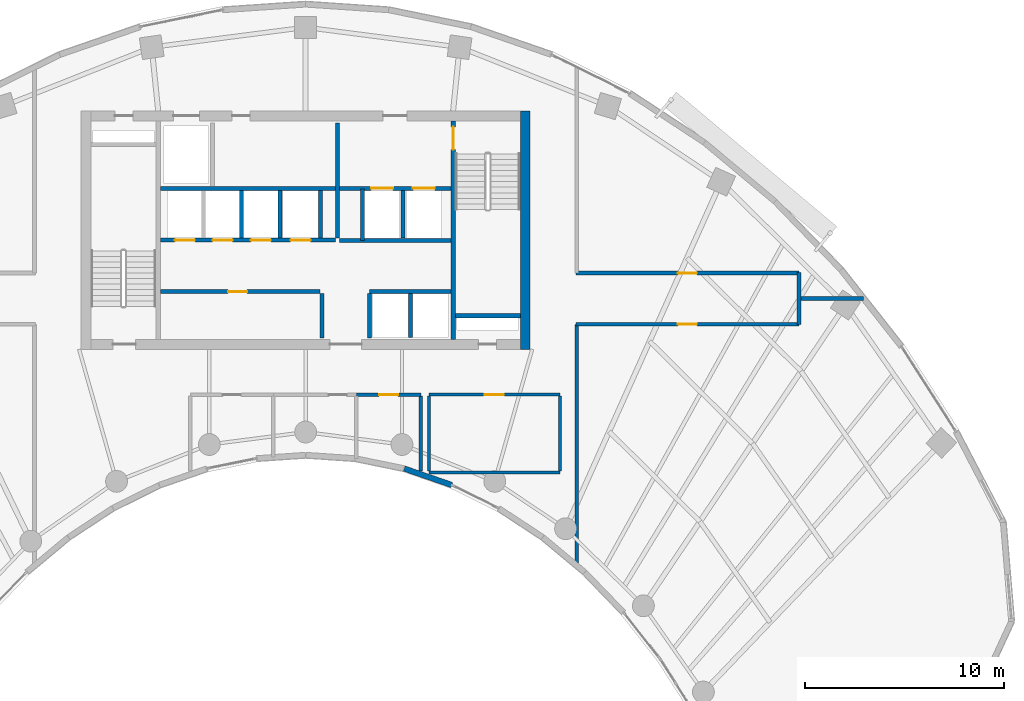
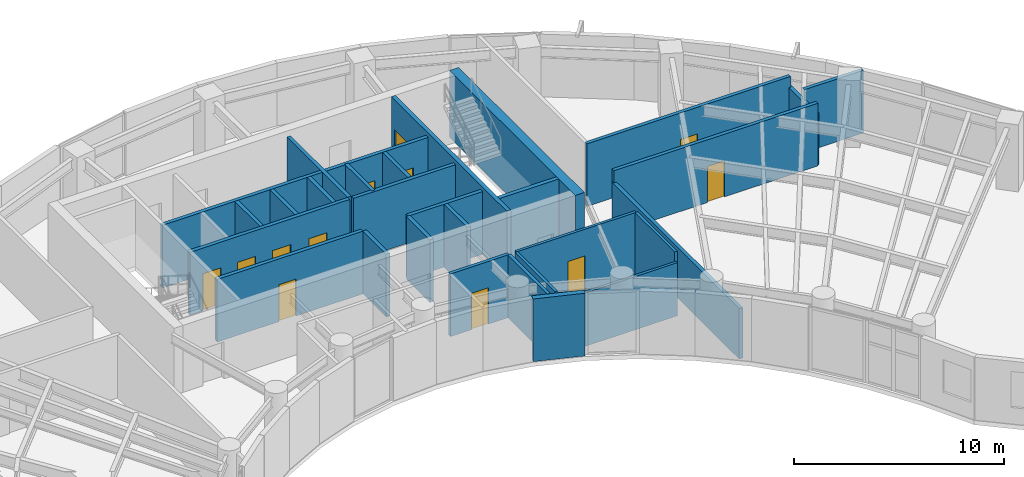
# One storey, part 9 of 13: 30 walls, 12 doors, 12 openings.
"""IFC4 building model written with IfcOpenShell, lengths in metres."""

from ifc_helpers import new_model, si_unit, direction, frame, frame_2d, origin, place, context, subcontext, project, spatial, rectangle, extrude, source, transform, mapped, material, layer, layer_set, type_object, type_shapes, element, fill, save


model = new_model("IFC4")

# Units and contexts
model_context = context("Model", 3, precision=1e-05, world=origin(), true_north=direction((0.0, 1.0)))
body_context = subcontext(model_context, "Body", "Model", "MODEL_VIEW")
ifc_project = project(units=[si_unit("LENGTHUNIT", "METRE"), si_unit("AREAUNIT", "SQUARE_METRE"), si_unit("VOLUMEUNIT", "CUBIC_METRE"), si_unit("PLANEANGLEUNIT", "RADIAN"), si_unit("MASSUNIT", "GRAM", prefix="KILO")], contexts=[model_context])

# Site, building, storey
site_placement = place(None, origin())
site = spatial("IfcSite", under=ifc_project, at=site_placement, CompositionType="ELEMENT")
building_placement = place(site_placement, origin())
building = spatial("IfcBuilding", under=site, at=building_placement, Name="Breltana Convention Tower", CompositionType="ELEMENT")
storey_placement = place(building_placement, frame((0.0, 0.0, 158.39990234375)))
storey = spatial("IfcBuildingStorey", under=building, at=storey_placement, Name="L38", CompositionType="ELEMENT", Elevation=158.39990234375)

# Walls
ifc_material_1 = material(Name="Concrete C60/75", Category="concrete")
ifc_layer_1 = layer(ifc_material_1, 0.5, Name="Concrete C60/75")
ifc_layer_set_1 = layer_set([ifc_layer_1], Name="Concrete C60/75")
wall_type_1 = type_object("IfcWallType", Name="SW-CORE-500", PredefinedType="SHEAR", material=ifc_layer_set_1)
shared_shape_1 = source(origin(), body_context, "Body", "SweptSolid", [
    extrude(rectangle(XDim=12.0, YDim=0.5, at=frame_2d((6.0, 0.0))), origin(), (0.0, 0.0, 1.0), 3.900146484375),
])
wall_1_placement = place(storey_placement, frame((59.050048828125, 60.199951171875, 0.0), z_axis=(0.0, 0.0, 1.0), x_axis=(0.0, 1.0, 0.0)))
element("IfcWall", 1, at=wall_1_placement, inside=storey, type_object=wall_type_1, Name="L38 East Core Shear Wall", PredefinedType="SHEAR", context=body_context, shape_type="MappedRepresentation", body=[
    mapped(shared_shape_1, transform((0.0, 0.0, 0.0), scale=1.0)),
])
ifc_material_2 = material(Name="Concrete C50/60", Category="concrete")
ifc_layer_2 = layer(ifc_material_2, 0.39990234375, Name="Concrete C50/60")
ifc_layer_set_2 = layer_set([ifc_layer_2], Name="Concrete C50/60")
wall_type_2 = type_object("IfcWallType", Name="SW-CORE-400", PredefinedType="SHEAR", material=ifc_layer_set_2)
shared_shape_2 = source(origin(), body_context, "Body", "SweptSolid", [
    extrude(rectangle(XDim=3.27001953125, YDim=0.219970703125, at=frame_2d((1.635009765625, 0.0))), origin(), (0.0, 0.0, 1.0), 3.900146484375),
])
wall_2_placement = place(storey_placement, frame((55.530029296875, 61.889892578125, 0.0), z_axis=(0.0, 0.0, 1.0), x_axis=(1.0, 0.0, 0.0)))
element("IfcWall", 2, at=wall_2_placement, inside=storey, type_object=wall_type_2, Name="L38 ST-2 Stairwell South Bearing Wall", PredefinedType="SHEAR", context=body_context, shape_type="MappedRepresentation", body=[
    mapped(shared_shape_2, transform((0.0, 0.0, 0.0), scale=1.0)),
])

# Wall, opening, door
shared_shape_3 = source(origin(), body_context, "Body", "SweptSolid", [
    extrude(rectangle(XDim=11.0, YDim=0.219970703125, at=frame_2d((5.5, 0.0))), origin(), (0.0, 0.0, 1.0), 3.900146484375),
])
wall_3_placement = place(storey_placement, frame((55.419921875, 60.699951171875, 0.0), z_axis=(0.0, 0.0, 1.0), x_axis=(0.0, 1.0, 0.0)))
wall_3 = element("IfcWall", 3, at=wall_3_placement, inside=storey, type_object=wall_type_2, Name="L38 Core East Stair Spine Wall", PredefinedType="SHEAR", context=body_context, shape_type="MappedRepresentation", body=[
    mapped(shared_shape_3, transform((0.0, 0.0, 0.0), scale=1.0)),
])
opening_1_placement = place(wall_3_placement, frame((9.544921875, 0.0, 0.0)))
opening_1 = element("IfcOpeningElement", 4, at=opening_1_placement, cuts=wall_3, Name="Opening D-11", PredefinedType="OPENING", context=body_context, shape_type="SweptSolid", body=[
    extrude(rectangle(XDim=1.14990234375, YDim=2.14990234375, at=frame_2d((0.574951171875, 1.074951171875))), frame((0.0, 0.1201171875, 0.0), z_axis=(0.0, -1.0, 0.0), x_axis=(1.0, 0.0, 0.0)), (0.0, 0.0, 1.0), 0.239990234375),
])
ifc_material_3 = material(Name="Steel Stair Exit Door", Category="steel")
door_type_1 = type_object("IfcDoorType", Name="DR-FD120-1150", OperationType="NOTDEFINED", PredefinedType="DOOR", material=ifc_material_3)
shared_shape_4 = source(origin(), body_context, "Body", "SweptSolid", [
    extrude(rectangle(XDim=1.14990234375, YDim=2.14990234375, at=frame_2d((0.574951171875, 1.074951171875))), frame((0.0, 0.02490234375, 0.0), z_axis=(0.0, -1.0, 0.0), x_axis=(1.0, 0.0, 0.0)), (0.0, 0.0, 1.0), 0.050048828125),
])
type_shapes(door_type_1, [shared_shape_4])
door_1_placement = place(opening_1_placement, origin())
door_1 = element("IfcDoor", 5, at=door_1_placement, inside=storey, type_object=door_type_1, Name="L38 interior door D-L38-ST2", OperationType="SINGLE_SWING_LEFT", OverallHeight=2.14990234375, OverallWidth=1.14990234375, PredefinedType="DOOR", context=body_context, shape_type="MappedRepresentation", body=[
    mapped(shared_shape_4, transform((0.0, 0.0, 0.0), scale=1.0)),
])
fill(opening_1, door_1)

# Walls
ifc_material_4 = material(Name="Limestone Buff Insulated Wall", Category="masonry")
ifc_layer_3 = layer(ifc_material_4, 0.280029296875, Name="Limestone Buff Insulated Wall")
ifc_layer_set_3 = layer_set([ifc_layer_3], Name="Limestone Buff Insulated Wall")
wall_type_3 = type_object("IfcWallType", Name="WL-EXT-NOSE-280", PredefinedType="SOLIDWALL", material=ifc_layer_set_3)
shared_shape_5 = source(origin(), body_context, "Body", "SweptSolid", [
    extrude(rectangle(XDim=2.52978515625, YDim=0.280029296875, at=frame_2d((1.264892578125, 0.0))), origin(), (0.0, 0.0, 1.0), 3.650146484375),
])
wall_4_placement = place(storey_placement, frame((55.35546875, 53.369873046875, 0.0), z_axis=(0.0, 0.0, 1.0), x_axis=(-0.944872429646, 0.327438683872, 0.0)))
element("IfcWall", 6, at=wall_4_placement, inside=storey, type_object=wall_type_3, Name="L38 curved limestone nose wall E10", PredefinedType="SOLIDWALL", context=body_context, shape_type="MappedRepresentation", body=[
    mapped(shared_shape_5, transform((0.0, 0.0, 0.0), scale=1.0)),
])
ifc_material_5 = material(Name="Autoclaved Aerated Concrete Block", Category="concrete")
ifc_layer_4 = layer(ifc_material_5, 0.199951171875, Name="Autoclaved Aerated Concrete Block")
ifc_layer_set_4 = layer_set([ifc_layer_4], Name="Autoclaved Aerated Concrete Block")
wall_type_4 = type_object("IfcWallType", Name="WL-SHAFT-200", PredefinedType="SOLIDWALL", material=ifc_layer_set_4)
shared_shape_6 = source(origin(), body_context, "Body", "SweptSolid", [
    extrude(rectangle(XDim=2.239990234375, YDim=0.199951171875, at=frame_2d((1.1201171875, 0.0))), origin(), (0.0, 0.0, 1.0), 3.650146484375),
])
for number, where, z_axis, x_axis, name in (
    (7, (48.820068359375, 60.780029296875, 0.0), (0.0, 0.0, 1.0), (0.0, 1.0, 0.0), "L38 interior partition W-L38-PORT-W"),
    (8, (51.219970703125, 60.780029296875, 0.0), (0.0, 0.0, 1.0), (0.0, 1.0, 0.0), "L38 interior partition W-L38-PORT-E"),
):
    element("IfcWall", number, at=place(storey_placement, frame(where, z_axis=z_axis, x_axis=x_axis)), inside=storey, type_object=wall_type_4, Name=name, PredefinedType="SOLIDWALL", context=body_context, shape_type="MappedRepresentation", body=[
        mapped(shared_shape_6, transform((0.0, 0.0, 0.0), scale=1.0)),
    ])

# Wall, openings, doors
shared_shape_7 = source(origin(), body_context, "Body", "SweptSolid", [
    extrude(rectangle(XDim=5.6201171875, YDim=0.199951171875, at=frame_2d((2.81005859375, 0.0))), origin(), (0.0, 0.0, 1.0), 3.650146484375),
])
wall_5_placement = place(storey_placement, frame((49.699951171875, 68.300048828125, 0.0), z_axis=(0.0, 0.0, 1.0), x_axis=(1.0, 0.0, 0.0)))
wall_5 = element("IfcWall", 9, at=wall_5_placement, inside=storey, type_object=wall_type_4, Name="L38 interior partition W-L38-FFL-S", PredefinedType="SOLIDWALL", context=body_context, shape_type="MappedRepresentation", body=[
    mapped(shared_shape_7, transform((0.0, 0.0, 0.0), scale=1.0)),
])
opening_2_placement = place(wall_5_placement, frame((1.60009765625, 0.0, 0.0)))
opening_2 = element("IfcOpeningElement", 10, at=opening_2_placement, cuts=wall_5, Name="Opening LD-03", PredefinedType="OPENING", context=body_context, shape_type="SweptSolid", body=[
    extrude(rectangle(XDim=1.10009765625, YDim=2.14990234375, at=frame_2d((0.550048828125, 1.074951171875))), frame((0.0, 0.10986328125, 0.0), z_axis=(0.0, -1.0, 0.0), x_axis=(1.0, 0.0, 0.0)), (0.0, 0.0, 1.0), 0.219970703125),
])
opening_3_placement = place(wall_5_placement, frame((3.699951171875, 0.0, 0.0)))
opening_3 = element("IfcOpeningElement", 11, at=opening_3_placement, cuts=wall_5, Name="Opening LD-03", PredefinedType="OPENING", context=body_context, shape_type="SweptSolid", body=[
    extrude(rectangle(XDim=1.10009765625, YDim=2.14990234375, at=frame_2d((0.550048828125, 1.074951171875))), frame((0.0, 0.10986328125, 0.0), z_axis=(0.0, -1.0, 0.0), x_axis=(1.0, 0.0, 0.0)), (0.0, 0.0, 1.0), 0.219970703125),
])
ifc_material_6 = material(Name="Stainless Steel Brushed", Category="steel")
door_type_2 = type_object("IfcDoorType", Name="DR-LD-FF-1100", OperationType="DOUBLE_DOOR_SLIDING", PredefinedType="DOOR", material=ifc_material_6)
shared_shape_8 = source(origin(), body_context, "Body", "SweptSolid", [
    extrude(rectangle(XDim=1.10009765625, YDim=2.14990234375, at=frame_2d((0.550048828125, 1.074951171875))), frame((0.0, 0.02490234375, 0.0), z_axis=(0.0, -1.0, 0.0), x_axis=(1.0, 0.0, 0.0)), (0.0, 0.0, 1.0), 0.050048828125),
])
type_shapes(door_type_2, [shared_shape_8])
door_2_placement = place(opening_2_placement, origin())
door_2 = element("IfcDoor", 12, at=door_2_placement, inside=storey, type_object=door_type_2, Name="L38 Lift Landing Door D-L38-LD-FL1", OperationType="DOUBLE_DOOR_SLIDING", OverallHeight=2.14990234375, OverallWidth=1.10009765625, PredefinedType="DOOR", context=body_context, shape_type="MappedRepresentation", body=[
    mapped(shared_shape_8, transform((0.0, 0.0, 0.0), scale=1.0)),
])
fill(opening_2, door_2)
door_3_placement = place(opening_3_placement, origin())
door_3 = element("IfcDoor", 13, at=door_3_placement, inside=storey, type_object=door_type_2, Name="L38 Lift Landing Door D-L38-LD-FL2", OperationType="DOUBLE_DOOR_SLIDING", OverallHeight=2.14990234375, OverallWidth=1.10009765625, PredefinedType="DOOR", context=body_context, shape_type="MappedRepresentation", body=[
    mapped(shared_shape_8, transform((0.0, 0.0, 0.0), scale=1.0)),
])
fill(opening_3, door_3)

# Walls
wall_6_placement = place(storey_placement, frame((49.699951171875, 65.679931640625, 0.0), z_axis=(0.0, 0.0, 1.0), x_axis=(1.0, 0.0, 0.0)))
element("IfcWall", 14, at=wall_6_placement, inside=storey, type_object=wall_type_4, Name="L38 interior partition W-L38-FL-S", PredefinedType="SOLIDWALL", context=body_context, shape_type="MappedRepresentation", body=[
    mapped(shared_shape_7, transform((0.0, 0.0, 0.0), scale=1.0)),
])
shared_shape_9 = source(origin(), body_context, "Body", "SweptSolid", [
    extrude(rectangle(XDim=5.800048828125, YDim=0.199951171875, at=frame_2d((2.89990234375, 0.0))), origin(), (0.0, 0.0, 1.0), 3.650146484375),
])
wall_7_placement = place(storey_placement, frame((49.60009765625, 65.800048828125, 0.0), z_axis=(0.0, 0.0, 1.0), x_axis=(0.0, 1.0, 0.0)))
element("IfcWall", 15, at=wall_7_placement, inside=storey, type_object=wall_type_4, Name="L38 interior partition W-L38-FFL-W", PredefinedType="SOLIDWALL", context=body_context, shape_type="MappedRepresentation", body=[
    mapped(shared_shape_9, transform((0.0, 0.0, 0.0), scale=1.0)),
])
shared_shape_10 = source(origin(), body_context, "Body", "SweptSolid", [
    extrude(rectangle(XDim=2.580078125, YDim=0.199951171875, at=frame_2d((1.2900390625, 0.0))), origin(), (0.0, 0.0, 1.0), 3.650146484375),
])
wall_8_placement = place(storey_placement, frame((50.85009765625, 65.679931640625, 0.0), z_axis=(0.0, 0.0, 1.0), x_axis=(0.0, 1.0, 0.0)))
element("IfcWall", 16, at=wall_8_placement, inside=storey, type_object=wall_type_4, Name="L38 interior partition W-L38-FL-W", PredefinedType="SOLIDWALL", context=body_context, shape_type="MappedRepresentation", body=[
    mapped(shared_shape_10, transform((0.0, 0.0, 0.0), scale=1.0)),
])
shared_shape_11 = source(origin(), body_context, "Body", "SweptSolid", [
    extrude(rectangle(XDim=2.39990234375, YDim=0.199951171875, at=frame_2d((1.199951171875, 0.0))), origin(), (0.0, 0.0, 1.0), 3.650146484375),
])
for number, where, z_axis, x_axis, name in (
    (17, (52.89990234375, 65.800048828125, 0.0), (0.0, 0.0, 1.0), (0.0, 1.0, 0.0), "L38 interior partition W-L38-FL-DIV"),
    (18, (48.75, 65.800048828125, 0.0), (0.0, 0.0, 1.0), (0.0, 1.0, 0.0), "L38 interior partition W-L38-SH-M-END"),
    (19, (44.77001953125, 65.800048828125, 0.0), (0.0, 0.0, 1.0), (0.0, 1.0, 0.0), "L38 interior partition W-L38-SH-M-DIV2"),
    (20, (46.699951171875, 65.800048828125, 0.0), (0.0, 0.0, 1.0), (0.0, 1.0, 0.0), "L38 interior partition W-L38-SH-M-DIV3"),
):
    element("IfcWall", number, at=place(storey_placement, frame(where, z_axis=z_axis, x_axis=x_axis)), inside=storey, type_object=wall_type_4, Name=name, PredefinedType="SOLIDWALL", context=body_context, shape_type="MappedRepresentation", body=[
        mapped(shared_shape_11, transform((0.0, 0.0, 0.0), scale=1.0)),
    ])
shared_shape_12 = source(origin(), body_context, "Body", "SweptSolid", [
    extrude(rectangle(XDim=8.800048828125, YDim=0.199951171875, at=frame_2d((4.39990234375, 0.0))), origin(), (0.0, 0.0, 1.0), 3.650146484375),
])
wall_9_placement = place(storey_placement, frame((40.699951171875, 68.300048828125, 0.0), z_axis=(0.0, 0.0, 1.0), x_axis=(1.0, 0.0, 0.0)))
element("IfcWall", 21, at=wall_9_placement, inside=storey, type_object=wall_type_4, Name="L38 interior partition W-L38-SV-S", PredefinedType="SOLIDWALL", context=body_context, shape_type="MappedRepresentation", body=[
    mapped(shared_shape_12, transform((0.0, 0.0, 0.0), scale=1.0)),
])

# Wall, openings, doors
wall_10_placement = place(storey_placement, frame((40.699951171875, 65.699951171875, 0.0), z_axis=(0.0, 0.0, 1.0), x_axis=(1.0, 0.0, 0.0)))
wall_10 = element("IfcWall", 22, at=wall_10_placement, inside=storey, type_object=wall_type_4, Name="L38 interior partition W-L38-SH-M-FRONT", PredefinedType="SOLIDWALL", context=body_context, shape_type="MappedRepresentation", body=[
    mapped(shared_shape_12, transform((0.0, 0.0, 0.0), scale=1.0)),
])
opening_4_placement = place(wall_10_placement, frame((0.719970703125, 0.0, 0.0)))
opening_4 = element("IfcOpeningElement", 23, at=opening_4_placement, cuts=wall_10, Name="Opening LD-04", PredefinedType="OPENING", context=body_context, shape_type="SweptSolid", body=[
    extrude(rectangle(XDim=1.0, YDim=2.14990234375, at=frame_2d((0.5, 1.074951171875))), frame((0.0, 0.10986328125, 0.0), z_axis=(0.0, -1.0, 0.0), x_axis=(1.0, 0.0, 0.0)), (0.0, 0.0, 1.0), 0.219970703125),
])
opening_5_placement = place(wall_10_placement, frame((2.6201171875, 0.0, 0.0)))
opening_5 = element("IfcOpeningElement", 24, at=opening_5_placement, cuts=wall_10, Name="Opening LD-04", PredefinedType="OPENING", context=body_context, shape_type="SweptSolid", body=[
    extrude(rectangle(XDim=1.0, YDim=2.14990234375, at=frame_2d((0.5, 1.074951171875))), frame((0.0, 0.10986328125, 0.0), z_axis=(0.0, -1.0, 0.0), x_axis=(1.0, 0.0, 0.0)), (0.0, 0.0, 1.0), 0.219970703125),
])
opening_6_placement = place(wall_10_placement, frame((4.550048828125, 0.0, 0.0)))
opening_6 = element("IfcOpeningElement", 25, at=opening_6_placement, cuts=wall_10, Name="Opening LD-04", PredefinedType="OPENING", context=body_context, shape_type="SweptSolid", body=[
    extrude(rectangle(XDim=1.0, YDim=2.14990234375, at=frame_2d((0.5, 1.074951171875))), frame((0.0, 0.10986328125, 0.0), z_axis=(0.0, -1.0, 0.0), x_axis=(1.0, 0.0, 0.0)), (0.0, 0.0, 1.0), 0.219970703125),
])
opening_7_placement = place(wall_10_placement, frame((6.550048828125, 0.0, 0.0)))
opening_7 = element("IfcOpeningElement", 26, at=opening_7_placement, cuts=wall_10, Name="Opening LD-04", PredefinedType="OPENING", context=body_context, shape_type="SweptSolid", body=[
    extrude(rectangle(XDim=1.0, YDim=2.14990234375, at=frame_2d((0.5, 1.074951171875))), frame((0.0, 0.10986328125, 0.0), z_axis=(0.0, -1.0, 0.0), x_axis=(1.0, 0.0, 0.0)), (0.0, 0.0, 1.0), 0.219970703125),
])
door_type_3 = type_object("IfcDoorType", Name="DR-LD-PAX-1000", OperationType="DOUBLE_DOOR_SLIDING", PredefinedType="DOOR", material=ifc_material_6)
shared_shape_13 = source(origin(), body_context, "Body", "SweptSolid", [
    extrude(rectangle(XDim=1.0, YDim=2.14990234375, at=frame_2d((0.5, 1.074951171875))), frame((0.0, 0.02490234375, 0.0), z_axis=(0.0, -1.0, 0.0), x_axis=(1.0, 0.0, 0.0)), (0.0, 0.0, 1.0), 0.050048828125),
])
type_shapes(door_type_3, [shared_shape_13])
door_4_placement = place(opening_4_placement, origin())
door_4 = element("IfcDoor", 27, at=door_4_placement, inside=storey, type_object=door_type_3, Name="L38 Lift Landing Door D-L38-LD-M1", OperationType="DOUBLE_DOOR_SLIDING", OverallHeight=2.14990234375, OverallWidth=1.0, PredefinedType="DOOR", context=body_context, shape_type="MappedRepresentation", body=[
    mapped(shared_shape_13, transform((0.0, 0.0, 0.0), scale=1.0)),
])
fill(opening_4, door_4)
door_5_placement = place(opening_5_placement, origin())
door_5 = element("IfcDoor", 28, at=door_5_placement, inside=storey, type_object=door_type_3, Name="L38 Lift Landing Door D-L38-LD-M2", OperationType="DOUBLE_DOOR_SLIDING", OverallHeight=2.14990234375, OverallWidth=1.0, PredefinedType="DOOR", context=body_context, shape_type="MappedRepresentation", body=[
    mapped(shared_shape_13, transform((0.0, 0.0, 0.0), scale=1.0)),
])
fill(opening_5, door_5)
door_6_placement = place(opening_6_placement, origin())
door_6 = element("IfcDoor", 29, at=door_6_placement, inside=storey, type_object=door_type_3, Name="L38 Lift Landing Door D-L38-LD-M3", OperationType="DOUBLE_DOOR_SLIDING", OverallHeight=2.14990234375, OverallWidth=1.0, PredefinedType="DOOR", context=body_context, shape_type="MappedRepresentation", body=[
    mapped(shared_shape_13, transform((0.0, 0.0, 0.0), scale=1.0)),
])
fill(opening_6, door_6)
door_7_placement = place(opening_7_placement, origin())
door_7 = element("IfcDoor", 30, at=door_7_placement, inside=storey, type_object=door_type_3, Name="L38 Lift Landing Door D-L38-LD-M4", OperationType="DOUBLE_DOOR_SLIDING", OverallHeight=2.14990234375, OverallWidth=1.0, PredefinedType="DOOR", context=body_context, shape_type="MappedRepresentation", body=[
    mapped(shared_shape_13, transform((0.0, 0.0, 0.0), scale=1.0)),
])
fill(opening_7, door_7)

# Wall, opening, door
shared_shape_14 = source(origin(), body_context, "Body", "SweptSolid", [
    extrude(rectangle(XDim=8.02001953125, YDim=0.199951171875, at=frame_2d((4.010009765625, 0.0))), origin(), (0.0, 0.0, 1.0), 3.650146484375),
])
wall_11_placement = place(storey_placement, frame((40.699951171875, 63.10009765625, 0.0), z_axis=(0.0, 0.0, 1.0), x_axis=(1.0, 0.0, 0.0)))
wall_11 = element("IfcWall", 31, at=wall_11_placement, inside=storey, type_object=wall_type_4, Name="L38 interior partition W-L38-SH-S-FRONT", PredefinedType="SOLIDWALL", context=body_context, shape_type="MappedRepresentation", body=[
    mapped(shared_shape_14, transform((0.0, 0.0, 0.0), scale=1.0)),
])
opening_8_placement = place(wall_11_placement, frame((3.39990234375, 0.0, 0.0)))
opening_8 = element("IfcOpeningElement", 32, at=opening_8_placement, cuts=wall_11, Name="Opening D-14", PredefinedType="OPENING", context=body_context, shape_type="SweptSolid", body=[
    extrude(rectangle(XDim=0.949951171875, YDim=2.14990234375, at=frame_2d((0.47509765625, 1.074951171875))), frame((0.0, 0.10986328125, 0.0), z_axis=(0.0, -1.0, 0.0), x_axis=(1.0, 0.0, 0.0)), (0.0, 0.0, 1.0), 0.219970703125),
])
ifc_material_7 = material(Name="Timber Solid-Core Fire Door", Category="wood")
door_type_4 = type_object("IfcDoorType", Name="DR-FD60-950", OperationType="NOTDEFINED", PredefinedType="DOOR", material=ifc_material_7)
shared_shape_15 = source(origin(), body_context, "Body", "SweptSolid", [
    extrude(rectangle(XDim=0.949951171875, YDim=2.14990234375, at=frame_2d((0.47509765625, 1.074951171875))), frame((0.0, 0.02490234375, 0.0), z_axis=(0.0, -1.0, 0.0), x_axis=(1.0, 0.0, 0.0)), (0.0, 0.0, 1.0), 0.050048828125),
])
type_shapes(door_type_4, [shared_shape_15])
door_8_placement = place(opening_8_placement, origin())
door_8 = element("IfcDoor", 33, at=door_8_placement, inside=storey, type_object=door_type_4, Name="L38 interior door D-L38-LV7-B1A", OperationType="SINGLE_SWING_LEFT", OverallHeight=2.14990234375, OverallWidth=0.949951171875, PredefinedType="DOOR", context=body_context, shape_type="MappedRepresentation", body=[
    mapped(shared_shape_15, transform((0.0, 0.0, 0.0), scale=1.0)),
])
fill(opening_8, door_8)

# Walls
shared_shape_16 = source(origin(), body_context, "Body", "SweptSolid", [
    extrude(rectangle(XDim=4.10009765625, YDim=0.199951171875, at=frame_2d((2.050048828125, 0.0))), origin(), (0.0, 0.0, 1.0), 3.650146484375),
])
wall_12_placement = place(storey_placement, frame((51.219970703125, 63.10009765625, 0.0), z_axis=(0.0, 0.0, 1.0), x_axis=(1.0, 0.0, 0.0)))
element("IfcWall", 34, at=wall_12_placement, inside=storey, type_object=wall_type_4, Name="L38 interior partition W-L38-SH-X-FRONT", PredefinedType="SOLIDWALL", context=body_context, shape_type="MappedRepresentation", body=[
    mapped(shared_shape_16, transform((0.0, 0.0, 0.0), scale=1.0)),
])
shared_shape_17 = source(origin(), body_context, "Body", "SweptSolid", [
    extrude(rectangle(XDim=2.199951171875, YDim=0.199951171875, at=frame_2d((1.10009765625, 0.0))), origin(), (0.0, 0.0, 1.0), 3.650146484375),
])
wall_13_placement = place(storey_placement, frame((53.280029296875, 60.800048828125, 0.0), z_axis=(0.0, 0.0, 1.0), x_axis=(0.0, 1.0, 0.0)))
element("IfcWall", 35, at=wall_13_placement, inside=storey, type_object=wall_type_4, Name="L38 interior partition W-L38-SH-X-DIV", PredefinedType="SOLIDWALL", context=body_context, shape_type="MappedRepresentation", body=[
    mapped(shared_shape_17, transform((0.0, 0.0, 0.0), scale=1.0)),
])
ifc_material_8 = material(Name="Cement Board Wet-Area Partition")
ifc_layer_5 = layer(ifc_material_8, 0.175048828125, Name="Cement Board Wet-Area Partition")
ifc_layer_set_5 = layer_set([ifc_layer_5], Name="Cement Board Wet-Area Partition")
wall_type_5 = type_object("IfcWallType", Name="WL-WET-175", PredefinedType="PARTITIONING", material=ifc_layer_set_5)
shared_shape_18 = source(origin(), body_context, "Body", "SweptSolid", [
    extrude(rectangle(XDim=3.7626953125, YDim=0.175048828125, at=frame_2d((1.88134765625, 0.0))), origin(), (0.0, 0.0, 1.0), 3.650146484375),
])
wall_14_placement = place(storey_placement, frame((53.800048828125, 54.07861328125, 0.0), z_axis=(0.0, 0.0, 1.0), x_axis=(0.0, 1.0, 0.0)))
element("IfcWall", 36, at=wall_14_placement, inside=storey, type_object=wall_type_5, Name="L38 interior partition W-L38-WCA-E", PredefinedType="PARTITIONING", context=body_context, shape_type="MappedRepresentation", body=[
    mapped(shared_shape_18, transform((0.0, 0.0, 0.0), scale=1.0)),
])

# Wall, opening, door
ifc_material_9 = material(Name="Moisture-Resistant Gypsum Chase Wall")
ifc_layer_6 = layer(ifc_material_9, 0.179931640625, Name="Moisture-Resistant Gypsum Chase Wall")
ifc_layer_set_6 = layer_set([ifc_layer_6], Name="Moisture-Resistant Gypsum Chase Wall")
wall_type_6 = type_object("IfcWallType", Name="WL-PLUMB-180", PredefinedType="PLUMBINGWALL", material=ifc_layer_set_6)
shared_shape_19 = source(origin(), body_context, "Body", "SweptSolid", [
    extrude(rectangle(XDim=3.248046875, YDim=0.179931640625, at=frame_2d((1.6240234375, 0.0))), origin(), (0.0, 0.0, 1.0), 3.650146484375),
])
wall_15_placement = place(storey_placement, frame((50.552001953125, 57.919921875, 0.0), z_axis=(0.0, 0.0, 1.0), x_axis=(1.0, 0.0, 0.0)))
wall_15 = element("IfcWall", 37, at=wall_15_placement, inside=storey, type_object=wall_type_6, Name="L38 interior partition W-L38-WCA-N", PredefinedType="PLUMBINGWALL", context=body_context, shape_type="MappedRepresentation", body=[
    mapped(shared_shape_19, transform((0.0, 0.0, 0.0), scale=1.0)),
])
opening_9_placement = place(wall_15_placement, frame((1.14892578125, 0.0, 0.0)))
opening_9 = element("IfcOpeningElement", 38, at=opening_9_placement, cuts=wall_15, Name="Opening D-16", PredefinedType="OPENING", context=body_context, shape_type="SweptSolid", body=[
    extrude(rectangle(XDim=0.949951171875, YDim=2.1201171875, at=frame_2d((0.47509765625, 1.06005859375))), frame((0.0, 0.10009765625, 0.0), z_axis=(0.0, -1.0, 0.0), x_axis=(1.0, 0.0, 0.0)), (0.0, 0.0, 1.0), 0.199951171875),
])
ifc_material_10 = material(Name="Timber Laminate Accessible Door", Category="wood")
door_type_5 = type_object("IfcDoorType", Name="DR-ACC-950", OperationType="NOTDEFINED", PredefinedType="DOOR", material=ifc_material_10)
shared_shape_20 = source(origin(), body_context, "Body", "SweptSolid", [
    extrude(rectangle(XDim=0.949951171875, YDim=2.1201171875, at=frame_2d((0.47509765625, 1.06005859375))), frame((0.0, 0.02490234375, 0.0), z_axis=(0.0, -1.0, 0.0), x_axis=(1.0, 0.0, 0.0)), (0.0, 0.0, 1.0), 0.050048828125),
])
type_shapes(door_type_5, [shared_shape_20])
door_9_placement = place(opening_9_placement, origin())
door_9 = element("IfcDoor", 39, at=door_9_placement, inside=storey, type_object=door_type_5, Name="L38 interior door D-L38-WCA", OperationType="SINGLE_SWING_RIGHT", OverallHeight=2.1201171875, OverallWidth=0.949951171875, PredefinedType="DOOR", context=body_context, shape_type="MappedRepresentation", body=[
    mapped(shared_shape_20, transform((0.0, 0.0, 0.0), scale=1.0)),
])
fill(opening_9, door_9)

# Wall
ifc_material_11 = material(Name="Gypsum Acoustic Drywall Partition")
ifc_layer_7 = layer(ifc_material_11, 0.14990234375, Name="Gypsum Acoustic Drywall Partition")
ifc_layer_set_7 = layer_set([ifc_layer_7], Name="Gypsum Acoustic Drywall Partition")
wall_type_7 = type_object("IfcWallType", Name="WL-PART-150", PredefinedType="PARTITIONING", material=ifc_layer_set_7)
shared_shape_21 = source(origin(), body_context, "Body", "SweptSolid", [
    extrude(rectangle(XDim=6.60009765625, YDim=0.14990234375, at=frame_2d((3.300048828125, 0.0))), origin(), (0.0, 0.0, 1.0), 3.09521484375),
])
wall_16_placement = place(storey_placement, frame((54.199951171875, 54.0, 0.0), z_axis=(0.0, 0.0, 1.0), x_axis=(1.0, 0.0, 0.0)))
element("IfcWall", 40, at=wall_16_placement, inside=storey, type_object=wall_type_7, Name="L38 interior partition W-L38-PNT-S", PredefinedType="PARTITIONING", context=body_context, shape_type="MappedRepresentation", body=[
    mapped(shared_shape_21, transform((0.0, 0.0, 0.0), scale=1.0)),
])

# Wall, opening, door
shared_shape_22 = source(origin(), body_context, "Body", "SweptSolid", [
    extrude(rectangle(XDim=6.60009765625, YDim=0.14990234375, at=frame_2d((3.300048828125, 0.0))), origin(), (0.0, 0.0, 1.0), 3.650146484375),
])
wall_17_placement = place(storey_placement, frame((54.199951171875, 57.919921875, 0.0), z_axis=(0.0, 0.0, 1.0), x_axis=(1.0, 0.0, 0.0)))
wall_17 = element("IfcWall", 41, at=wall_17_placement, inside=storey, type_object=wall_type_7, Name="L38 interior partition W-L38-PNT-N", PredefinedType="PARTITIONING", context=body_context, shape_type="MappedRepresentation", body=[
    mapped(shared_shape_22, transform((0.0, 0.0, 0.0), scale=1.0)),
])
opening_10_placement = place(wall_17_placement, frame((2.824951171875, 0.0, 0.0)))
opening_10 = element("IfcOpeningElement", 42, at=opening_10_placement, cuts=wall_17, Name="Opening D-17", PredefinedType="OPENING", context=body_context, shape_type="SweptSolid", body=[
    extrude(rectangle(XDim=0.949951171875, YDim=2.10009765625, at=frame_2d((0.47509765625, 1.050048828125))), frame((0.0, 0.0849609375, 0.0), z_axis=(0.0, -1.0, 0.0), x_axis=(1.0, 0.0, 0.0)), (0.0, 0.0, 1.0), 0.169921875),
])
ifc_material_12 = material(Name="Timber Oak Veneer Door", Category="wood")
door_type_6 = type_object("IfcDoorType", Name="DR-INT-950", OperationType="NOTDEFINED", PredefinedType="DOOR", material=ifc_material_12)
shared_shape_23 = source(origin(), body_context, "Body", "SweptSolid", [
    extrude(rectangle(XDim=0.949951171875, YDim=2.10009765625, at=frame_2d((0.47509765625, 1.050048828125))), frame((0.0, 0.02490234375, 0.0), z_axis=(0.0, -1.0, 0.0), x_axis=(1.0, 0.0, 0.0)), (0.0, 0.0, 1.0), 0.050048828125),
])
type_shapes(door_type_6, [shared_shape_23])
door_10_placement = place(opening_10_placement, origin())
door_10 = element("IfcDoor", 43, at=door_10_placement, inside=storey, type_object=door_type_6, Name="L38 interior door D-L38-PNT", OperationType="SINGLE_SWING_LEFT", OverallHeight=2.10009765625, OverallWidth=0.949951171875, PredefinedType="DOOR", context=body_context, shape_type="MappedRepresentation", body=[
    mapped(shared_shape_23, transform((0.0, 0.0, 0.0), scale=1.0)),
])
fill(opening_10, door_10)

# Walls
shared_shape_24 = source(origin(), body_context, "Body", "SweptSolid", [
    extrude(rectangle(XDim=3.78515625, YDim=0.14990234375, at=frame_2d((1.892578125, 0.0))), origin(), (0.0, 0.0, 1.0), 3.650146484375),
])
for number, where, z_axis, x_axis, name in (
    (44, (54.199951171875, 54.0673828125, 0.0), (0.0, 0.0, 1.0), (0.0, 1.0, 0.0), "L38 interior partition W-L38-PNT-W"),
    (45, (60.800048828125, 54.0673828125, 0.0), (0.0, 0.0, 1.0), (0.0, 1.0, 0.0), "L38 interior partition W-L38-PNT-E"),
):
    element("IfcWall", number, at=place(storey_placement, frame(where, z_axis=z_axis, x_axis=x_axis)), inside=storey, type_object=wall_type_7, Name=name, PredefinedType="PARTITIONING", context=body_context, shape_type="MappedRepresentation", body=[
        mapped(shared_shape_24, transform((0.0, 0.0, 0.0), scale=1.0)),
    ])

# Wall, opening, door
ifc_material_13 = material(Name="Gypsum Acoustic Hotel Wall")
ifc_layer_8 = layer(ifc_material_13, 0.195068359375, Name="Gypsum Acoustic Hotel Wall")
ifc_layer_set_8 = layer_set([ifc_layer_8], Name="Gypsum Acoustic Hotel Wall")
wall_type_8 = type_object("IfcWallType", Name="WL-HOTEL-200", PredefinedType="PARTITIONING", material=ifc_layer_set_8)
shared_shape_25 = source(origin(), body_context, "Body", "SweptSolid", [
    extrude(rectangle(XDim=11.219970703125, YDim=0.195068359375, at=frame_2d((5.60986328125, 0.0))), origin(), (0.0, 0.0, 1.0), 3.650146484375),
])
wall_18_placement = place(storey_placement, frame((61.60009765625, 64.0400390625, 0.0), z_axis=(0.0, 0.0, 1.0), x_axis=(1.0, 0.0, 0.0)))
wall_18 = element("IfcWall", 46, at=wall_18_placement, inside=storey, type_object=wall_type_8, Name="L38 interior partition W-L38-ZEN1-D", PredefinedType="PARTITIONING", context=body_context, shape_type="MappedRepresentation", body=[
    mapped(shared_shape_25, transform((0.0, 0.0, 0.0), scale=1.0)),
])
opening_11_placement = place(wall_18_placement, frame((5.135009765625, 0.0, 0.0)))
opening_11 = element("IfcOpeningElement", 47, at=opening_11_placement, cuts=wall_18, Name="Opening D-17", PredefinedType="OPENING", context=body_context, shape_type="SweptSolid", body=[
    extrude(rectangle(XDim=0.949951171875, YDim=2.10009765625, at=frame_2d((0.47509765625, 1.050048828125))), frame((0.0, 0.107421875, 0.0), z_axis=(0.0, -1.0, 0.0), x_axis=(1.0, 0.0, 0.0)), (0.0, 0.0, 1.0), 0.215087890625),
])
door_11_placement = place(opening_11_placement, origin())
door_11 = element("IfcDoor", 48, at=door_11_placement, inside=storey, type_object=door_type_6, Name="L38 interior door D-L38-ZEN1", OperationType="SINGLE_SWING_RIGHT", OverallHeight=2.10009765625, OverallWidth=0.949951171875, PredefinedType="DOOR", context=body_context, shape_type="MappedRepresentation", body=[
    mapped(shared_shape_23, transform((0.0, 0.0, 0.0), scale=1.0)),
])
fill(opening_11, door_11)

wall_19_placement = place(storey_placement, frame((61.60009765625, 61.4599609375, 0.0), z_axis=(0.0, 0.0, 1.0), x_axis=(1.0, 0.0, 0.0)))
wall_19 = element("IfcWall", 49, at=wall_19_placement, inside=storey, type_object=wall_type_8, Name="L38 interior partition W-L38-ZES1-D", PredefinedType="PARTITIONING", context=body_context, shape_type="MappedRepresentation", body=[
    mapped(shared_shape_25, transform((0.0, 0.0, 0.0), scale=1.0)),
])
opening_12_placement = place(wall_19_placement, frame((5.135009765625, 0.0, 0.0)))
opening_12 = element("IfcOpeningElement", 50, at=opening_12_placement, cuts=wall_19, Name="Opening D-17", PredefinedType="OPENING", context=body_context, shape_type="SweptSolid", body=[
    extrude(rectangle(XDim=0.949951171875, YDim=2.10009765625, at=frame_2d((0.47509765625, 1.050048828125))), frame((0.0, 0.107421875, 0.0), z_axis=(0.0, -1.0, 0.0), x_axis=(1.0, 0.0, 0.0)), (0.0, 0.0, 1.0), 0.215087890625),
])
door_12_placement = place(opening_12_placement, origin())
door_12 = element("IfcDoor", 51, at=door_12_placement, inside=storey, type_object=door_type_6, Name="L38 interior door D-L38-ZES1", OperationType="SINGLE_SWING_LEFT", OverallHeight=2.10009765625, OverallWidth=0.949951171875, PredefinedType="DOOR", context=body_context, shape_type="MappedRepresentation", body=[
    mapped(shared_shape_23, transform((0.0, 0.0, 0.0), scale=1.0)),
])
fill(opening_12, door_12)

# Walls
shared_shape_26 = source(origin(), body_context, "Body", "SweptSolid", [
    extrude(rectangle(XDim=12.126220703125, YDim=0.195068359375, at=frame_2d((6.06298828125, 0.0))), origin(), (0.0, 0.0, 1.0), 2.942138671875),
])
wall_20_placement = place(storey_placement, frame((61.639892578125, 49.333740234375, 0.0), z_axis=(0.0, 0.0, 1.0), x_axis=(0.0, 1.0, 0.0)))
element("IfcWall", 52, at=wall_20_placement, inside=storey, type_object=wall_type_8, Name="L38 interior partition W-L38-ZODD-EC", PredefinedType="PARTITIONING", context=body_context, shape_type="MappedRepresentation", body=[
    mapped(shared_shape_26, transform((0.0, 0.0, 0.0), scale=1.0)),
])
shared_shape_27 = source(origin(), body_context, "Body", "SweptSolid", [
    extrude(rectangle(XDim=3.248779296875, YDim=0.195068359375, at=frame_2d((1.62451171875, 0.0))), origin(), (0.0, 0.0, 1.0), 3.650146484375),
])
wall_21_placement = place(storey_placement, frame((72.820068359375, 62.75, 0.0), z_axis=(0.0, 0.0, 1.0), x_axis=(1.0, 0.0, 0.0)))
element("IfcWall", 53, at=wall_21_placement, inside=storey, type_object=wall_type_8, Name="L38 interior partition W-L38-ZFE-EXT", PredefinedType="PARTITIONING", context=body_context, shape_type="MappedRepresentation", body=[
    mapped(shared_shape_27, transform((0.0, 0.0, 0.0), scale=1.0)),
])
shared_shape_28 = source(origin(), body_context, "Body", "SweptSolid", [
    extrude(rectangle(XDim=2.6201171875, YDim=0.195068359375, at=frame_2d((1.31005859375, 0.0))), origin(), (0.0, 0.0, 1.0), 3.022216796875),
])
wall_22_placement = place(storey_placement, frame((72.820068359375, 61.43994140625, 0.0), z_axis=(0.0, 0.0, 1.0), x_axis=(0.0, 1.0, 0.0)))
element("IfcWall", 54, at=wall_22_placement, inside=storey, type_object=wall_type_8, Name="L38 interior partition W-L38-ZFE-CAP", PredefinedType="PARTITIONING", context=body_context, shape_type="MappedRepresentation", body=[
    mapped(shared_shape_28, transform((0.0, 0.0, 0.0), scale=1.0)),
])

save(model, "model.ifc")
